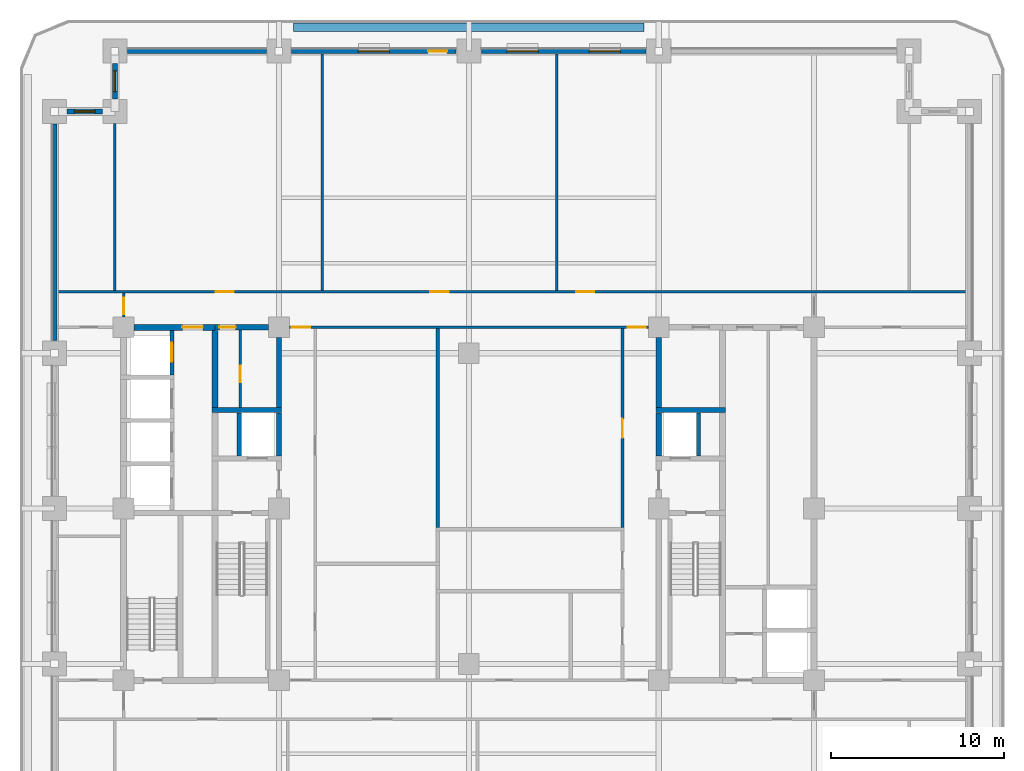
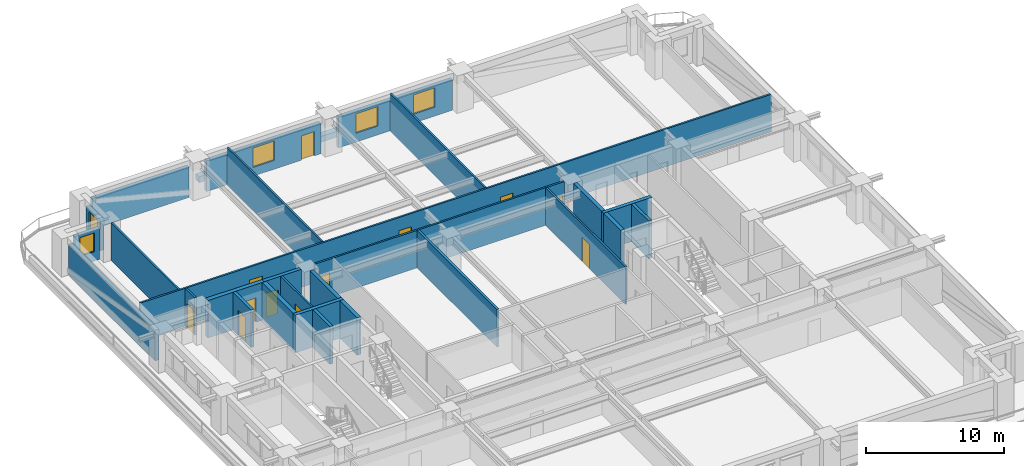
# One storey, part 5 of 13: 28 walls, 12 doors, 5 windows, 17 openings.
"""IFC4 building model written with IfcOpenShell, lengths in metres."""

import ifcopenshell
import ifcopenshell.guid

model = None  # the IFC model being written
_history = None  # IfcOwnerHistory: only IFC2X3 demands one
_inside = {}  # id of a spatial element -> (the spatial element, [elements in it])
_under = {}  # id of a project, library or spatial element -> (it, [spatial elements below it])
_declared = {}  # id of a project -> (the project, [libraries it declares])
_typed = {}  # id of a type object -> (the type object, [elements of that type])
_made_of = {}  # id of a material, layer set ... -> (it, [elements and type objects made of it])


def new_model(schema):
    """Start an empty IFC model of exactly this schema.

    Asked for "IFC4X3", IfcOpenShell would pick the latest addendum, in which some entities
    have other attributes; the version numbers below select the first issue.
    IFC2X3 requires an IfcOwnerHistory on every rooted entity: one is made here for all.
    """
    global model, _history
    if schema == "IFC4X3":
        model = ifcopenshell.file(schema_version=(4, 3, 0, 0))
    else:
        model = ifcopenshell.file(schema=schema)
    _inside.clear()
    _under.clear()
    _declared.clear()
    _typed.clear()
    _made_of.clear()
    _history = None
    if model.schema == "IFC2X3":
        org = make("IfcOrganization", Name="unknown")
        user = make(
            "IfcPersonAndOrganization",
            ThePerson=make("IfcPerson", FamilyName="unknown"),
            TheOrganization=org,
        )
        app = make(
            "IfcApplication",
            ApplicationDeveloper=org,
            Version="unknown",
            ApplicationFullName="unknown",
            ApplicationIdentifier="unknown",
        )
        _history = make(
            "IfcOwnerHistory",
            OwningUser=user,
            OwningApplication=app,
            ChangeAction="ADDED",
            CreationDate=0,
        )
    return model


def make(cls, **values):
    """One entity of the class cls with the attributes given. An attribute that is None is left unset."""
    return model.create_entity(
        cls, **{name: value for name, value in values.items() if value is not None}
    )


def rooted(cls, **values):
    """An entity with a GlobalId (a new one), such as an element, a storey or a relation."""
    return make(cls, GlobalId=ifcopenshell.guid.new(), OwnerHistory=_history, **values)


def si_unit(unit_type, name, prefix=None):
    """IfcSIUnit, for example si_unit("LENGTHUNIT", "METRE", prefix="MILLI")."""
    return make("IfcSIUnit", UnitType=unit_type, Prefix=prefix, Name=name)


def assignment(units):
    """IfcUnitAssignment: the units of a project."""
    return None if units is None else make("IfcUnitAssignment", Units=units)


def point(xyz):
    """IfcCartesianPoint."""
    return None if xyz is None else make("IfcCartesianPoint", Coordinates=xyz)


def direction(xyz):
    """IfcDirection."""
    return None if xyz is None else make("IfcDirection", DirectionRatios=xyz)


def frame(location, z_axis=None, x_axis=None):
    """IfcAxis2Placement3D, a coordinate frame: its origin and axes. An axis left out is left unset."""
    return make(
        "IfcAxis2Placement3D",
        Location=point(location),
        Axis=direction(z_axis),
        RefDirection=direction(x_axis),
    )


def frame_2d(location, x_axis=None):
    """IfcAxis2Placement2D, a coordinate frame in the plane: its origin and x axis."""
    return make(
        "IfcAxis2Placement2D", Location=point(location), RefDirection=direction(x_axis)
    )


def origin():
    """The frame at (0, 0, 0) with its axes left unset."""
    return frame((0.0, 0.0, 0.0))


def place(relative_to, where):
    """IfcLocalPlacement: puts the frame where relative to a parent placement (None: the world)."""
    return make(
        "IfcLocalPlacement", PlacementRelTo=relative_to, RelativePlacement=where
    )


def context(
    kind, dimensions, precision=None, world=None, true_north=None, identifier=None
):
    """IfcGeometricRepresentationContext, for example the 3D "Model" context."""
    return make(
        "IfcGeometricRepresentationContext",
        ContextIdentifier=identifier,
        ContextType=kind,
        CoordinateSpaceDimension=dimensions,
        Precision=precision,
        WorldCoordinateSystem=world,
        TrueNorth=true_north,
    )


def subcontext(parent, identifier, kind, view, scale=None):
    """IfcGeometricRepresentationSubContext, for example "Body" below "Model"."""
    return make(
        "IfcGeometricRepresentationSubContext",
        ContextIdentifier=identifier,
        ContextType=kind,
        ParentContext=parent,
        TargetScale=scale,
        TargetView=view,
    )


def project(units=None, contexts=None):
    """IfcProject with its units and contexts."""
    return rooted(
        "IfcProject",
        Name="project",
        RepresentationContexts=contexts,
        UnitsInContext=assignment(units),
    )


def spatial(cls, under=None, at=None, **own):
    """A site, building, storey or space (cls), placed at a placement, below another one or the project."""
    s = rooted(cls, ObjectPlacement=at, **own)
    if under is not None:
        _under.setdefault(under.id(), (under, []))[1].append(s)
    return s


def profile(cls, at=None, kind="AREA", **sizes):
    """A parametric profile (cls). Its sizes go by their IFC names, for example OverallWidth=200.0."""
    return make(cls, ProfileType=kind, Position=at, **sizes)


def rectangle(**sizes):
    """IfcRectangleProfileDef."""
    return profile("IfcRectangleProfileDef", **sizes)


def extrude(swept, where, along, depth):
    """IfcExtrudedAreaSolid: the profile swept, set in the frame where, extruded along a direction by depth."""
    return make(
        "IfcExtrudedAreaSolid",
        SweptArea=swept,
        Position=where,
        ExtrudedDirection=direction(along),
        Depth=depth,
    )


def shape(context_of_items, identifier, shape_type, items):
    """IfcShapeRepresentation: the items that make up one representation, for example the "Body"."""
    return make(
        "IfcShapeRepresentation",
        ContextOfItems=context_of_items,
        RepresentationIdentifier=identifier,
        RepresentationType=shape_type,
        Items=items,
    )


def material(Name=None, Category=None):
    """IfcMaterial."""
    return make("IfcMaterial", Name=Name, Category=Category)


def layer(
    of_material, thickness, ventilated=None, Name=None, Category=None, Priority=None
):
    """IfcMaterialLayer: one layer of a wall or slab, of a material (None: an air gap)."""
    return make(
        "IfcMaterialLayer",
        Material=of_material,
        LayerThickness=thickness,
        IsVentilated=ventilated,
        Name=Name,
        Category=Category,
        Priority=Priority,
    )


def layer_set(layers, Name=None):
    """IfcMaterialLayerSet."""
    return make("IfcMaterialLayerSet", MaterialLayers=layers, LayerSetName=Name)


def made_of(thing, what):
    """Note that an element or type object is made of a material, layer set ...; save() writes the relation."""
    if what is not None:
        _made_of.setdefault(what.id(), (what, []))[1].append(thing)
    return thing


def type_object(cls, material=None, **own):
    """A type object (cls), such as IfcWallType, which elements share."""
    return made_of(rooted(cls, **own), material)


def element(
    cls,
    number,
    at=None,
    inside=None,
    cuts=None,
    type_object=None,
    material=None,
    context=None,
    identifier="Body",
    shape_type=None,
    held_by="IfcProductDefinitionShape",
    body=None,
    shapes=None,
    **own,
):
    """One element of the class cls, such as IfcWall. Its Tag is "e" and its number.

    at: its placement. inside: the storey or other place that contains it. cuts: it is an
    opening in that element (IfcRelVoidsElement). A single representation is given by context,
    identifier, shape_type and body (its items); several are given by shapes. held_by: the class
    of the entity that holds the representations. save() writes the other relations.
    """
    e = rooted(cls, Tag="e%d" % number, ObjectPlacement=at, **own)
    if body is not None:
        shapes = [shape(context, identifier, shape_type, body)]
    if shapes is not None:
        e.Representation = make(held_by, Representations=shapes)
    if inside is not None:
        _inside.setdefault(inside.id(), (inside, []))[1].append(e)
    if cuts is not None:
        rooted(
            "IfcRelVoidsElement", RelatingBuildingElement=cuts, RelatedOpeningElement=e
        )
    if type_object is not None:
        _typed.setdefault(type_object.id(), (type_object, []))[1].append(e)
    return made_of(e, material)


def fill(opening, filler):
    """IfcRelFillsElement: the door or window that sits in an opening."""
    return rooted(
        "IfcRelFillsElement",
        RelatingOpeningElement=opening,
        RelatedBuildingElement=filler,
    )


def aggregate(whole, parts):
    """IfcRelAggregates: a whole, such as a stair, and the parts it consists of."""
    return rooted("IfcRelAggregates", RelatingObject=whole, RelatedObjects=parts)


def save(model, path):
    """Write the relations noted so far, then the file.

    IfcRelAggregates (storeys below a building ...), IfcRelContainedInSpatialStructure (elements
    in a storey), IfcRelDefinesByType, IfcRelAssociatesMaterial and IfcRelDeclares: one each for
    every whole, place, type object, material and project.
    """
    for whole, parts in _under.values():
        aggregate(whole, parts)
    for where, things in _inside.values():
        rooted(
            "IfcRelContainedInSpatialStructure",
            RelatedElements=things,
            RelatingStructure=where,
        )
    for kind, things in _typed.values():
        rooted("IfcRelDefinesByType", RelatedObjects=things, RelatingType=kind)
    for what, things in _made_of.values():
        rooted("IfcRelAssociatesMaterial", RelatedObjects=things, RelatingMaterial=what)
    for by, libraries in _declared.values():
        rooted("IfcRelDeclares", RelatingContext=by, RelatedDefinitions=libraries)
    model.write(path)


model = new_model("IFC4")

# Units and contexts
model_context = context("Model", 3, precision=1e-05, world=origin(), true_north=direction((0.0, 1.0)))
body_context = subcontext(model_context, "Body", "Model", "MODEL_VIEW")
ifc_project = project(units=[si_unit("LENGTHUNIT", "METRE"), si_unit("AREAUNIT", "SQUARE_METRE"), si_unit("VOLUMEUNIT", "CUBIC_METRE"), si_unit("PLANEANGLEUNIT", "RADIAN"), si_unit("MASSUNIT", "GRAM", prefix="KILO")], contexts=[model_context])

# Site, building, storey
site_placement = place(None, origin())
site = spatial("IfcSite", under=ifc_project, at=site_placement, CompositionType="ELEMENT")
building_placement = place(site_placement, origin())
building = spatial("IfcBuilding", under=site, at=building_placement, Name="Zulmaris Gate Convention Tower", CompositionType="ELEMENT")
storey_placement = place(building_placement, frame((0.0, 0.0, 34.340087890625)))
storey = spatial("IfcBuildingStorey", under=building, at=storey_placement, Name="L07", CompositionType="ELEMENT", Elevation=34.340087890625)

# Wall, opening, door
ifc_material_1 = material(Name="Concrete C50/60", Category="concrete")
ifc_layer_1 = layer(ifc_material_1, 0.25, Name="Concrete C50/60")
ifc_layer_set_1 = layer_set([ifc_layer_1], Name="Concrete C50/60")
wall_type_1 = type_object("IfcWallType", Name="CORE-250", PredefinedType="SOLIDWALL", material=ifc_layer_set_1)
wall_1_placement = place(storey_placement, frame((-17.199951171875, 7.72705078125, 0.0), z_axis=(0.0, 0.0, 1.0), x_axis=(0.0, 1.0, 0.0)))
wall_1 = element("IfcWall", 1, at=wall_1_placement, inside=storey, type_object=wall_type_1, Name="WL-L07-042", PredefinedType="SOLIDWALL", context=body_context, shape_type="SweptSolid", body=[
    extrude(rectangle(XDim=2.595947265625, YDim=0.25, at=frame_2d((1.2978515625, 0.0))), origin(), (0.0, 0.0, 1.0), 3.31982421875),
])
opening_1_placement = place(wall_1_placement, frame((0.77294921875, 0.0, 0.0)))
opening_1 = element("IfcOpeningElement", 2, at=opening_1_placement, cuts=wall_1, Name="Opening D-06", PredefinedType="OPENING", context=body_context, shape_type="SweptSolid", body=[
    extrude(rectangle(XDim=1.10009765625, YDim=2.199951171875, at=frame_2d((0.550048828125, 1.10009765625))), frame((0.0, 0.135009765625, 0.0), z_axis=(0.0, -1.0, 0.0), x_axis=(1.0, 0.0, 0.0)), (0.0, 0.0, 1.0), 0.27001953125),
])
ifc_material_2 = material(Name="Brushed Stainless Steel", Category="steel")
door_type_1 = type_object("IfcDoorType", Name="LD-1100", OperationType="NOTDEFINED", PredefinedType="DOOR", material=ifc_material_2)
door_1_placement = place(opening_1_placement, origin())
door_1 = element("IfcDoor", 3, at=door_1_placement, inside=storey, type_object=door_type_1, Name="L07 Lift Landing Door LP-04 15", OperationType="SLIDING_TO_LEFT", OverallHeight=2.199951171875, OverallWidth=1.10009765625, PredefinedType="DOOR", context=body_context, shape_type="SweptSolid", body=[
    extrude(rectangle(XDim=1.10009765625, YDim=2.199951171875, at=frame_2d((0.550048828125, 1.10009765625))), frame((0.0, 0.02490234375, 0.0), z_axis=(0.0, -1.0, 0.0), x_axis=(1.0, 0.0, 0.0)), (0.0, 0.0, 1.0), 0.050048828125),
])
fill(opening_1, door_1)

# Walls
for number, where, z_axis, x_axis, name in (
    (4, (-13.300048828125, 3.052001953125, 0.0), (0.0, 0.0, 1.0), (0.0, 1.0, 0.0), "WL-L07-048"),
    (5, (13.300048828125, 3.052001953125, 0.0), (0.0, 0.0, 1.0), (0.0, 1.0, 0.0), "WL-L07-059"),
):
    element("IfcWall", number, at=place(storey_placement, frame(where, z_axis=z_axis, x_axis=x_axis)), inside=storey, type_object=wall_type_1, Name=name, PredefinedType="SOLIDWALL", context=body_context, shape_type="SweptSolid", body=[
        extrude(rectangle(XDim=2.49609375, YDim=0.25, at=frame_2d((1.248046875, 0.0))), origin(), (0.0, 0.0, 1.0), 3.31982421875),
    ])
ifc_layer_2 = layer(ifc_material_1, 0.300048828125, Name="Concrete C50/60")
ifc_layer_set_2 = layer_set([ifc_layer_2], Name="Concrete C50/60")
wall_type_2 = type_object("IfcWallType", Name="CORE-300", PredefinedType="SHEAR", material=ifc_layer_set_2)
for number, where, z_axis, x_axis, name in (
    (6, (-14.875, 5.699951171875, 0.0), (0.0, 0.0, 1.0), (1.0, 0.0, 0.0), "WL-L07-013"),
    (7, (10.85009765625, 5.699951171875, 0.0), (0.0, 0.0, 1.0), (1.0, 0.0, 0.0), "WL-L07-014"),
):
    element("IfcWall", number, at=place(storey_placement, frame(where, z_axis=z_axis, x_axis=x_axis)), inside=storey, type_object=wall_type_2, Name=name, PredefinedType="SHEAR", context=body_context, shape_type="SweptSolid", body=[
        extrude(rectangle(XDim=4.02490234375, YDim=0.300048828125, at=frame_2d((2.012451171875, 0.0))), origin(), (0.0, 0.0, 1.0), 3.31982421875),
    ])

# Wall, opening, door
wall_2_placement = place(storey_placement, frame((-14.699951171875, 10.5, 0.0), z_axis=(0.0, 0.0, 1.0), x_axis=(1.0, 0.0, 0.0)))
wall_2 = element("IfcWall", 8, at=wall_2_placement, inside=storey, type_object=wall_type_2, Name="WL-L07-017", PredefinedType="SHEAR", context=body_context, shape_type="SweptSolid", body=[
    extrude(rectangle(XDim=3.095947265625, YDim=0.300048828125, at=frame_2d((1.5478515625, 0.0))), origin(), (0.0, 0.0, 1.0), 3.31982421875),
])
opening_2_placement = place(wall_2_placement, frame((0.2451171875, 0.0, 0.0)))
opening_2 = element("IfcOpeningElement", 9, at=opening_2_placement, cuts=wall_2, Name="Opening D-11", PredefinedType="OPENING", context=body_context, shape_type="SweptSolid", body=[
    extrude(rectangle(XDim=0.949951171875, YDim=2.14990234375, at=frame_2d((0.47509765625, 1.074951171875))), frame((0.0, 0.16015625, 0.0), z_axis=(0.0, -1.0, 0.0), x_axis=(1.0, 0.0, 0.0)), (0.0, 0.0, 1.0), 0.320068359375),
])
ifc_material_3 = material(Name="Fire-Rated Timber", Category="wood")
door_type_2 = type_object("IfcDoorType", Name="DR-950-FD", OperationType="NOTDEFINED", PredefinedType="DOOR", material=ifc_material_3)
door_2_placement = place(opening_2_placement, origin())
door_2 = element("IfcDoor", 10, at=door_2_placement, inside=storey, type_object=door_type_2, Name="L07 Core Mail Room Door 07", OperationType="SINGLE_SWING_RIGHT", OverallHeight=2.14990234375, OverallWidth=0.949951171875, PredefinedType="DOOR", context=body_context, shape_type="SweptSolid", body=[
    extrude(rectangle(XDim=0.949951171875, YDim=2.14990234375, at=frame_2d((0.47509765625, 1.074951171875))), frame((0.0, 0.02490234375, 0.0), z_axis=(0.0, -1.0, 0.0), x_axis=(1.0, 0.0, 0.0)), (0.0, 0.0, 1.0), 0.050048828125),
])
fill(opening_2, door_2)

# Walls
wall_3_placement = place(storey_placement, frame((-11.0, 3.052001953125, 0.0), z_axis=(0.0, 0.0, 1.0), x_axis=(0.0, 1.0, 0.0)))
element("IfcWall", 11, at=wall_3_placement, inside=storey, type_object=wall_type_2, Name="WL-L07-052", PredefinedType="SHEAR", context=body_context, shape_type="SweptSolid", body=[
    extrude(rectangle(XDim=2.49609375, YDim=0.300048828125, at=frame_2d((1.248046875, 0.0))), origin(), (0.0, 0.0, 1.0), 3.31982421875),
])
wall_4_placement = place(storey_placement, frame((-11.0, 5.85205078125, 0.0), z_axis=(0.0, 0.0, 1.0), x_axis=(0.0, 1.0, 0.0)))
element("IfcWall", 12, at=wall_4_placement, inside=storey, type_object=wall_type_2, Name="WL-L07-053", PredefinedType="SHEAR", context=body_context, shape_type="SweptSolid", body=[
    extrude(rectangle(XDim=4.0439453125, YDim=0.300048828125, at=frame_2d((2.02197265625, 0.0))), origin(), (0.0, 0.0, 1.0), 3.31982421875),
])
wall_5_placement = place(storey_placement, frame((11.0, 3.052001953125, 0.0), z_axis=(0.0, 0.0, 1.0), x_axis=(0.0, 1.0, 0.0)))
element("IfcWall", 13, at=wall_5_placement, inside=storey, type_object=wall_type_2, Name="WL-L07-056", PredefinedType="SHEAR", context=body_context, shape_type="SweptSolid", body=[
    extrude(rectangle(XDim=2.49609375, YDim=0.300048828125, at=frame_2d((1.248046875, 0.0))), origin(), (0.0, 0.0, 1.0), 3.31982421875),
])
wall_6_placement = place(storey_placement, frame((11.0, 5.85205078125, 0.0), z_axis=(0.0, 0.0, 1.0), x_axis=(0.0, 1.0, 0.0)))
element("IfcWall", 14, at=wall_6_placement, inside=storey, type_object=wall_type_2, Name="WL-L07-057", PredefinedType="SHEAR", context=body_context, shape_type="SweptSolid", body=[
    extrude(rectangle(XDim=4.0439453125, YDim=0.300048828125, at=frame_2d((2.02197265625, 0.0))), origin(), (0.0, 0.0, 1.0), 3.31982421875),
])

# Wall, opening, door
ifc_material_4 = material(Name="Concrete C55/67", Category="concrete")
ifc_layer_3 = layer(ifc_material_4, 0.35009765625, Name="Concrete C55/67")
ifc_layer_set_3 = layer_set([ifc_layer_3], Name="Concrete C55/67")
wall_type_3 = type_object("IfcWallType", Name="CORE-350", PredefinedType="SHEAR", material=ifc_layer_set_3)
wall_7_placement = place(storey_placement, frame((-19.39599609375, 10.5, 0.0), z_axis=(0.0, 0.0, 1.0), x_axis=(1.0, 0.0, 0.0)))
wall_7 = element("IfcWall", 15, at=wall_7_placement, inside=storey, type_object=wall_type_3, Name="WL-L07-016", PredefinedType="SHEAR", context=body_context, shape_type="SweptSolid", body=[
    extrude(rectangle(XDim=4.696044921875, YDim=0.35009765625, at=frame_2d((2.34814453125, 0.0))), origin(), (0.0, 0.0, 1.0), 3.31982421875),
])
opening_3_placement = place(wall_7_placement, frame((2.7958984375, 0.0, 0.0)))
opening_3 = element("IfcOpeningElement", 16, at=opening_3_placement, cuts=wall_7, Name="Opening D-13", PredefinedType="OPENING", context=body_context, shape_type="SweptSolid", body=[
    extrude(rectangle(XDim=1.199951171875, YDim=2.14990234375, at=frame_2d((0.60009765625, 1.074951171875))), frame((0.0, 0.18505859375, 0.0), z_axis=(0.0, -1.0, 0.0), x_axis=(1.0, 0.0, 0.0)), (0.0, 0.0, 1.0), 0.3701171875),
])
ifc_material_5 = material(Name="Fire-Rated Steel", Category="steel")
door_type_3 = type_object("IfcDoorType", Name="DR-1200-FD", OperationType="NOTDEFINED", PredefinedType="DOOR", material=ifc_material_5)
door_3_placement = place(opening_3_placement, origin())
door_3 = element("IfcDoor", 17, at=door_3_placement, inside=storey, type_object=door_type_3, Name="L07 Low-Rise Lift Lobby Door 11", OperationType="SINGLE_SWING_RIGHT", OverallHeight=2.14990234375, OverallWidth=1.199951171875, PredefinedType="DOOR", context=body_context, shape_type="SweptSolid", body=[
    extrude(rectangle(XDim=1.199951171875, YDim=2.14990234375, at=frame_2d((0.60009765625, 1.074951171875))), frame((0.0, 0.02490234375, 0.0), z_axis=(0.0, -1.0, 0.0), x_axis=(1.0, 0.0, 0.0)), (0.0, 0.0, 1.0), 0.050048828125),
])
fill(opening_3, door_3)

# Wall
wall_8_placement = place(storey_placement, frame((-14.699951171875, 5.85205078125, 0.0), z_axis=(0.0, 0.0, 1.0), x_axis=(0.0, 1.0, 0.0)))
element("IfcWall", 18, at=wall_8_placement, inside=storey, type_object=wall_type_3, Name="WL-L07-047", PredefinedType="SHEAR", context=body_context, shape_type="SweptSolid", body=[
    extrude(rectangle(XDim=4.470947265625, YDim=0.35009765625, at=frame_2d((2.2353515625, 0.0))), origin(), (0.0, 0.0, 1.0), 3.31982421875),
])

# Wall, openings, doors
ifc_material_6 = material(Name="Gypsum Metal Stud Partition")
ifc_layer_4 = layer(ifc_material_6, 0.14990234375, Name="Gypsum Metal Stud Partition")
ifc_layer_set_4 = layer_set([ifc_layer_4], Name="Gypsum Metal Stud Partition")
wall_type_4 = type_object("IfcWallType", Name="PART-150", PredefinedType="PARTITIONING", material=ifc_layer_set_4)
wall_9_placement = place(storey_placement, frame((-10.39404296875, 10.5, 0.0), z_axis=(0.0, 0.0, 1.0), x_axis=(1.0, 0.0, 0.0)))
wall_9 = element("IfcWall", 19, at=wall_9_placement, inside=storey, type_object=wall_type_4, Name="WL-L07-031", PredefinedType="PARTITIONING", context=body_context, shape_type="SweptSolid", body=[
    extrude(rectangle(XDim=20.7880859375, YDim=0.14990234375, at=frame_2d((10.39404296875, 0.0))), origin(), (0.0, 0.0, 1.0), 3.31982421875),
])
opening_4_placement = place(wall_9_placement, frame((0.14990234375, 0.0, 0.0)))
opening_4 = element("IfcOpeningElement", 20, at=opening_4_placement, cuts=wall_9, Name="Opening D-09", PredefinedType="OPENING", context=body_context, shape_type="SweptSolid", body=[
    extrude(rectangle(XDim=1.050048828125, YDim=2.14990234375, at=frame_2d((0.52490234375, 1.074951171875))), frame((0.0, 0.0849609375, 0.0), z_axis=(0.0, -1.0, 0.0), x_axis=(1.0, 0.0, 0.0)), (0.0, 0.0, 1.0), 0.169921875),
])
opening_5_placement = place(wall_9_placement, frame((19.587890625, 0.0, 0.0)))
opening_5 = element("IfcOpeningElement", 21, at=opening_5_placement, cuts=wall_9, Name="Opening D-09", PredefinedType="OPENING", context=body_context, shape_type="SweptSolid", body=[
    extrude(rectangle(XDim=1.050048828125, YDim=2.14990234375, at=frame_2d((0.52490234375, 1.074951171875))), frame((0.0, 0.0849609375, 0.0), z_axis=(0.0, -1.0, 0.0), x_axis=(1.0, 0.0, 0.0)), (0.0, 0.0, 1.0), 0.169921875),
])
door_type_4 = type_object("IfcDoorType", Name="DR-1050-FD", OperationType="NOTDEFINED", PredefinedType="DOOR", material=ifc_material_5)
door_4_placement = place(opening_4_placement, origin())
door_4 = element("IfcDoor", 22, at=door_4_placement, inside=storey, type_object=door_type_4, Name="L07 NW Spine Link Door 20", OperationType="SINGLE_SWING_LEFT", OverallHeight=2.14990234375, OverallWidth=1.050048828125, PredefinedType="DOOR", context=body_context, shape_type="SweptSolid", body=[
    extrude(rectangle(XDim=1.050048828125, YDim=2.14990234375, at=frame_2d((0.52490234375, 1.074951171875))), frame((0.0, 0.02490234375, 0.0), z_axis=(0.0, -1.0, 0.0), x_axis=(1.0, 0.0, 0.0)), (0.0, 0.0, 1.0), 0.050048828125),
])
fill(opening_4, door_4)
door_5_placement = place(opening_5_placement, origin())
door_5 = element("IfcDoor", 23, at=door_5_placement, inside=storey, type_object=door_type_4, Name="L07 NE Spine Link Door 22", OperationType="SINGLE_SWING_LEFT", OverallHeight=2.14990234375, OverallWidth=1.050048828125, PredefinedType="DOOR", context=body_context, shape_type="SweptSolid", body=[
    extrude(rectangle(XDim=1.050048828125, YDim=2.14990234375, at=frame_2d((0.52490234375, 1.074951171875))), frame((0.0, 0.02490234375, 0.0), z_axis=(0.0, -1.0, 0.0), x_axis=(1.0, 0.0, 0.0)), (0.0, 0.0, 1.0), 0.050048828125),
])
fill(opening_5, door_5)

wall_10_placement = place(storey_placement, frame((-23.8349609375, 12.550048828125, 0.0), z_axis=(0.0, 0.0, 1.0), x_axis=(1.0, 0.0, 0.0)))
wall_10 = element("IfcWall", 24, at=wall_10_placement, inside=storey, type_object=wall_type_4, Name="WL-L07-033", PredefinedType="PARTITIONING", context=body_context, shape_type="SweptSolid", body=[
    extrude(rectangle(XDim=52.669921875, YDim=0.14990234375, at=frame_2d((26.3349609375, 0.0))), origin(), (0.0, 0.0, 1.0), 3.31982421875),
])
opening_6_placement = place(wall_10_placement, frame((9.159912109375, 0.0, 0.0)))
opening_6 = element("IfcOpeningElement", 25, at=opening_6_placement, cuts=wall_10, Name="Opening D-09", PredefinedType="OPENING", context=body_context, shape_type="SweptSolid", body=[
    extrude(rectangle(XDim=1.050048828125, YDim=2.14990234375, at=frame_2d((0.52490234375, 1.074951171875))), frame((0.0, 0.0849609375, 0.0), z_axis=(0.0, -1.0, 0.0), x_axis=(1.0, 0.0, 0.0)), (0.0, 0.0, 1.0), 0.169921875),
])
opening_7_placement = place(wall_10_placement, frame((21.610107421875, 0.0, 0.0)))
opening_7 = element("IfcOpeningElement", 26, at=opening_7_placement, cuts=wall_10, Name="Opening D-09", PredefinedType="OPENING", context=body_context, shape_type="SweptSolid", body=[
    extrude(rectangle(XDim=1.050048828125, YDim=2.14990234375, at=frame_2d((0.52490234375, 1.074951171875))), frame((0.0, 0.0849609375, 0.0), z_axis=(0.0, -1.0, 0.0), x_axis=(1.0, 0.0, 0.0)), (0.0, 0.0, 1.0), 0.169921875),
])
opening_8_placement = place(wall_10_placement, frame((30.06005859375, 0.0, 0.0)))
opening_8 = element("IfcOpeningElement", 27, at=opening_8_placement, cuts=wall_10, Name="Opening D-09", PredefinedType="OPENING", context=body_context, shape_type="SweptSolid", body=[
    extrude(rectangle(XDim=1.050048828125, YDim=2.14990234375, at=frame_2d((0.52490234375, 1.074951171875))), frame((0.0, 0.0849609375, 0.0), z_axis=(0.0, -1.0, 0.0), x_axis=(1.0, 0.0, 0.0)), (0.0, 0.0, 1.0), 0.169921875),
])
door_6_placement = place(opening_6_placement, origin())
door_6 = element("IfcDoor", 28, at=door_6_placement, inside=storey, type_object=door_type_4, Name="L07 Partner Corner Office Door 24", OperationType="SINGLE_SWING_LEFT", OverallHeight=2.14990234375, OverallWidth=1.050048828125, PredefinedType="DOOR", context=body_context, shape_type="SweptSolid", body=[
    extrude(rectangle(XDim=1.050048828125, YDim=2.14990234375, at=frame_2d((0.52490234375, 1.074951171875))), frame((0.0, 0.02490234375, 0.0), z_axis=(0.0, -1.0, 0.0), x_axis=(1.0, 0.0, 0.0)), (0.0, 0.0, 1.0), 0.050048828125),
])
fill(opening_6, door_6)
door_7_placement = place(opening_7_placement, origin())
door_7 = element("IfcDoor", 29, at=door_7_placement, inside=storey, type_object=door_type_4, Name="L07 Advisory Suite Office Door 25", OperationType="SINGLE_SWING_RIGHT", OverallHeight=2.14990234375, OverallWidth=1.050048828125, PredefinedType="DOOR", context=body_context, shape_type="SweptSolid", body=[
    extrude(rectangle(XDim=1.050048828125, YDim=2.14990234375, at=frame_2d((0.52490234375, 1.074951171875))), frame((0.0, 0.02490234375, 0.0), z_axis=(0.0, -1.0, 0.0), x_axis=(1.0, 0.0, 0.0)), (0.0, 0.0, 1.0), 0.050048828125),
])
fill(opening_7, door_7)
door_8_placement = place(opening_8_placement, origin())
door_8 = element("IfcDoor", 30, at=door_8_placement, inside=storey, type_object=door_type_4, Name="L07 Open Plan Workplace Door 26", OperationType="SINGLE_SWING_LEFT", OverallHeight=2.14990234375, OverallWidth=1.050048828125, PredefinedType="DOOR", context=body_context, shape_type="SweptSolid", body=[
    extrude(rectangle(XDim=1.050048828125, YDim=2.14990234375, at=frame_2d((0.52490234375, 1.074951171875))), frame((0.0, 0.02490234375, 0.0), z_axis=(0.0, -1.0, 0.0), x_axis=(1.0, 0.0, 0.0)), (0.0, 0.0, 1.0), 0.050048828125),
])
fill(opening_8, door_8)

# Wall
wall_11_placement = place(storey_placement, frame((-20.5, 12.6279296875, 0.0), z_axis=(0.0, 0.0, 1.0), x_axis=(0.0, 1.0, 0.0)))
element("IfcWall", 31, at=wall_11_placement, inside=storey, type_object=wall_type_4, Name="WL-L07-070", PredefinedType="PARTITIONING", context=body_context, shape_type="SweptSolid", body=[
    extrude(rectangle(XDim=9.666015625, YDim=0.14990234375, at=frame_2d((4.8330078125, 0.0))), origin(), (0.0, 0.0, 1.0), 3.31982421875),
])

# Wall, opening, door
wall_12_placement = place(storey_placement, frame((-20.0, 11.10595703125, 0.0), z_axis=(0.0, 0.0, 1.0), x_axis=(0.0, 1.0, 0.0)))
wall_12 = element("IfcWall", 32, at=wall_12_placement, inside=storey, type_object=wall_type_4, Name="WL-L07-072", PredefinedType="PARTITIONING", context=body_context, shape_type="SweptSolid", body=[
    extrude(rectangle(XDim=1.365966796875, YDim=0.14990234375, at=frame_2d((0.68310546875, 0.0))), origin(), (0.0, 0.0, 1.0), 3.31982421875),
])
opening_9_placement = place(wall_12_placement, frame((0.14990234375, 0.0, 0.0)))
opening_9 = element("IfcOpeningElement", 33, at=opening_9_placement, cuts=wall_12, Name="Opening D-11", PredefinedType="OPENING", context=body_context, shape_type="SweptSolid", body=[
    extrude(rectangle(XDim=0.949951171875, YDim=2.14990234375, at=frame_2d((0.47509765625, 1.074951171875))), frame((0.0, 0.0849609375, 0.0), z_axis=(0.0, -1.0, 0.0), x_axis=(1.0, 0.0, 0.0)), (0.0, 0.0, 1.0), 0.169921875),
])
door_9_placement = place(opening_9_placement, origin())
door_9 = element("IfcDoor", 34, at=door_9_placement, inside=storey, type_object=door_type_2, Name="L07 NW Spur Door 36", OperationType="SINGLE_SWING_LEFT", OverallHeight=2.14990234375, OverallWidth=0.949951171875, PredefinedType="DOOR", context=body_context, shape_type="SweptSolid", body=[
    extrude(rectangle(XDim=0.949951171875, YDim=2.14990234375, at=frame_2d((0.47509765625, 1.074951171875))), frame((0.0, 0.02490234375, 0.0), z_axis=(0.0, -1.0, 0.0), x_axis=(1.0, 0.0, 0.0)), (0.0, 0.0, 1.0), 0.050048828125),
])
fill(opening_9, door_9)

wall_13_placement = place(storey_placement, frame((-13.25, 5.85302734375, 0.0), z_axis=(0.0, 0.0, 1.0), x_axis=(0.0, 1.0, 0.0)))
wall_13 = element("IfcWall", 35, at=wall_13_placement, inside=storey, type_object=wall_type_4, Name="WL-L07-073", PredefinedType="PARTITIONING", context=body_context, shape_type="SweptSolid", body=[
    extrude(rectangle(XDim=4.493896484375, YDim=0.14990234375, at=frame_2d((2.2470703125, 0.0))), origin(), (0.0, 0.0, 1.0), 3.31982421875),
])
opening_10_placement = place(wall_13_placement, frame((1.471923828125, 0.0, 0.0)))
opening_10 = element("IfcOpeningElement", 36, at=opening_10_placement, cuts=wall_13, Name="Opening D-11", PredefinedType="OPENING", context=body_context, shape_type="SweptSolid", body=[
    extrude(rectangle(XDim=0.949951171875, YDim=2.14990234375, at=frame_2d((0.47509765625, 1.074951171875))), frame((0.0, 0.0849609375, 0.0), z_axis=(0.0, -1.0, 0.0), x_axis=(1.0, 0.0, 0.0)), (0.0, 0.0, 1.0), 0.169921875),
])
door_10_placement = place(opening_10_placement, origin())
door_10 = element("IfcDoor", 37, at=door_10_placement, inside=storey, type_object=door_type_2, Name="L07 Core Janitor Door 08", OperationType="SINGLE_SWING_LEFT", OverallHeight=2.14990234375, OverallWidth=0.949951171875, PredefinedType="DOOR", context=body_context, shape_type="SweptSolid", body=[
    extrude(rectangle(XDim=0.949951171875, YDim=2.14990234375, at=frame_2d((0.47509765625, 1.074951171875))), frame((0.0, 0.02490234375, 0.0), z_axis=(0.0, -1.0, 0.0), x_axis=(1.0, 0.0, 0.0)), (0.0, 0.0, 1.0), 0.050048828125),
])
fill(opening_10, door_10)

# Walls
for number, where, z_axis, x_axis, name in (
    (38, (-8.5, 12.6279296875, 0.0), (0.0, 0.0, 1.0), (0.0, 1.0, 0.0), "WL-L07-077"),
    (39, (5.10009765625, 12.6279296875, 0.0), (0.0, 0.0, 1.0), (0.0, 1.0, 0.0), "WL-L07-083"),
):
    element("IfcWall", number, at=place(storey_placement, frame(where, z_axis=z_axis, x_axis=x_axis)), inside=storey, type_object=wall_type_4, Name=name, PredefinedType="PARTITIONING", context=body_context, shape_type="SweptSolid", body=[
        extrude(rectangle(XDim=13.70703125, YDim=0.14990234375, at=frame_2d((6.853515625, 0.0))), origin(), (0.0, 0.0, 1.0), 3.31982421875),
    ])

# Wall, opening, door
wall_14_placement = place(storey_placement, frame((8.89990234375, -1.096923828125, 0.0), z_axis=(0.0, 0.0, 1.0), x_axis=(0.0, 1.0, 0.0)))
wall_14 = element("IfcWall", 40, at=wall_14_placement, inside=storey, type_object=wall_type_4, Name="WL-L07-087", PredefinedType="PARTITIONING", context=body_context, shape_type="SweptSolid", body=[
    extrude(rectangle(XDim=11.51904296875, YDim=0.14990234375, at=frame_2d((5.759521484375, 0.0))), origin(), (0.0, 0.0, 1.0), 3.31982421875),
])
opening_11_placement = place(wall_14_placement, frame((5.197021484375, 0.0, 0.0)))
opening_11 = element("IfcOpeningElement", 41, at=opening_11_placement, cuts=wall_14, Name="Opening D-08", PredefinedType="OPENING", context=body_context, shape_type="SweptSolid", body=[
    extrude(rectangle(XDim=1.10009765625, YDim=2.14990234375, at=frame_2d((0.550048828125, 1.074951171875))), frame((0.0, 0.0849609375, 0.0), z_axis=(0.0, -1.0, 0.0), x_axis=(1.0, 0.0, 0.0)), (0.0, 0.0, 1.0), 0.169921875),
])
door_type_5 = type_object("IfcDoorType", Name="DR-1100-FD", OperationType="NOTDEFINED", PredefinedType="DOOR", material=ifc_material_5)
door_11_placement = place(opening_11_placement, origin())
door_11 = element("IfcDoor", 42, at=door_11_placement, inside=storey, type_object=door_type_5, Name="L07 Seminar Forum Door 32", OperationType="SINGLE_SWING_LEFT", OverallHeight=2.14990234375, OverallWidth=1.10009765625, PredefinedType="DOOR", context=body_context, shape_type="SweptSolid", body=[
    extrude(rectangle(XDim=1.10009765625, YDim=2.14990234375, at=frame_2d((0.550048828125, 1.074951171875))), frame((0.0, 0.02490234375, 0.0), z_axis=(0.0, -1.0, 0.0), x_axis=(1.0, 0.0, 0.0)), (0.0, 0.0, 1.0), 0.050048828125),
])
fill(opening_11, door_11)

# Walls
ifc_material_7 = material(Name="Autoclaved Aerated Concrete Block and Plasterboard", Category="concrete")
ifc_layer_5 = layer(ifc_material_7, 0.199951171875, Name="Autoclaved Aerated Concrete Block and Plasterboard")
ifc_layer_set_5 = layer_set([ifc_layer_5], Name="Autoclaved Aerated Concrete Block and Plasterboard")
wall_type_5 = type_object("IfcWallType", Name="PART-200", PredefinedType="PARTITIONING", material=ifc_layer_set_5)
wall_15_placement = place(storey_placement, frame((-1.800048828125, -1.096923828125, 0.0), z_axis=(0.0, 0.0, 1.0), x_axis=(0.0, 1.0, 0.0)))
element("IfcWall", 43, at=wall_15_placement, inside=storey, type_object=wall_type_5, Name="WL-L07-081", PredefinedType="PARTITIONING", context=body_context, shape_type="SweptSolid", body=[
    extrude(rectangle(XDim=11.51904296875, YDim=0.199951171875, at=frame_2d((5.759521484375, 0.0))), origin(), (0.0, 0.0, 1.0), 3.31982421875),
])
ifc_material_8 = material(Name="Botanical Green Glazed Precast Concrete C40/50", Category="concrete")
ifc_layer_6 = layer(ifc_material_8, 0.419921875, Name="Botanical Green Glazed Precast Concrete C40/50")
ifc_layer_set_6 = layer_set([ifc_layer_6], Name="Botanical Green Glazed Precast Concrete C40/50")
wall_type_6 = type_object("IfcWallType", Name="PLANTER-CURB-200", PredefinedType="PARAPET", material=ifc_layer_set_6)
wall_16_placement = place(storey_placement, frame((-10.14990234375, 27.8798828125, -0.0400390625), z_axis=(0.0, 0.0, 1.0), x_axis=(1.0, 0.0, 0.0)))
element("IfcWall", 44, at=wall_16_placement, inside=storey, type_object=wall_type_6, Name="L07 Full-Length Balcony Tree Planter Trough", PredefinedType="PARAPET", context=body_context, shape_type="SweptSolid", body=[
    extrude(rectangle(XDim=20.2998046875, YDim=0.47998046875, at=frame_2d((10.14990234375, 0.0))), origin(), (0.0, 0.0, 1.0), 0.52001953125),
])

# Wall, opening, window
ifc_material_9 = material(Name="Precast concrete C40/50", Category="concrete")
ifc_layer_7 = layer(ifc_material_9, 0.300048828125, Name="Precast concrete C40/50")
ifc_layer_set_7 = layer_set([ifc_layer_7], Name="Precast concrete C40/50")
wall_type_7 = type_object("IfcWallType", Name="PRECAST-PIER-300", PredefinedType="STANDARD", material=ifc_layer_set_7)
wall_17_placement = place(storey_placement, frame((-20.5, 25.77001953125, 0.0), z_axis=(0.0, 0.0, 1.0), x_axis=(0.0, -1.0, 0.0)))
wall_17 = element("IfcWall", 45, at=wall_17_placement, inside=storey, type_object=wall_type_7, Name="EW-L07-NOTCH-NW1_0", PredefinedType="STANDARD", context=body_context, shape_type="SweptSolid", body=[
    extrude(rectangle(XDim=2.0400390625, YDim=0.300048828125, at=frame_2d((1.02001953125, 0.0))), origin(), (0.0, 0.0, 1.0), 2.7119140625),
])
opening_12_placement = place(wall_17_placement, frame((0.419921875, 0.0, 0.820068359375)))
opening_12 = element("IfcOpeningElement", 46, at=opening_12_placement, cuts=wall_17, Name="Opening W-04", PredefinedType="OPENING", context=body_context, shape_type="SweptSolid", body=[
    extrude(rectangle(XDim=1.199951171875, YDim=1.64990234375, at=frame_2d((0.60009765625, 0.824951171875))), frame((0.0, 0.16015625, 0.0), z_axis=(0.0, -1.0, 0.0), x_axis=(1.0, 0.0, 0.0)), (0.0, 0.0, 1.0), 0.320068359375),
])
ifc_material_10 = material(Name="Low-E Laminated Double Glazing in Aluminium Frame", Category="aluminium")
window_type_1 = type_object("IfcWindowType", Name="WIN-1200x2100", PartitioningType="SINGLE_PANEL", PredefinedType="WINDOW", material=ifc_material_10)
window_1_placement = place(opening_12_placement, origin())
window_1 = element("IfcWindow", 47, at=window_1_placement, inside=storey, type_object=window_type_1, Name="WN-EW-L07-NOTCH-NW1_0", OverallHeight=1.64990234375, OverallWidth=1.199951171875, PartitioningType="SINGLE_PANEL", PredefinedType="WINDOW", context=body_context, shape_type="SweptSolid", body=[
    extrude(rectangle(XDim=1.199951171875, YDim=1.64990234375, at=frame_2d((0.60009765625, 0.824951171875))), frame((0.0, 0.030029296875, 0.0), z_axis=(0.0, -1.0, 0.0), x_axis=(1.0, 0.0, 0.0)), (0.0, 0.0, 1.0), 0.06005859375),
])
fill(opening_12, window_1)

wall_18_placement = place(storey_placement, frame((-21.22998046875, 23.0, 0.0), z_axis=(0.0, 0.0, 1.0), x_axis=(-1.0, 0.0, 0.0)))
wall_18 = element("IfcWall", 48, at=wall_18_placement, inside=storey, type_object=wall_type_7, Name="EW-L07-NOTCH-NW2_0", PredefinedType="STANDARD", context=body_context, shape_type="SweptSolid", body=[
    extrude(rectangle(XDim=2.0400390625, YDim=0.300048828125, at=frame_2d((1.02001953125, 0.0))), origin(), (0.0, 0.0, 1.0), 2.7119140625),
])
opening_13_placement = place(wall_18_placement, frame((0.419921875, 0.0, 0.820068359375)))
opening_13 = element("IfcOpeningElement", 49, at=opening_13_placement, cuts=wall_18, Name="Opening W-04", PredefinedType="OPENING", context=body_context, shape_type="SweptSolid", body=[
    extrude(rectangle(XDim=1.199951171875, YDim=1.64990234375, at=frame_2d((0.60009765625, 0.824951171875))), frame((0.0, 0.16015625, 0.0), z_axis=(0.0, -1.0, 0.0), x_axis=(1.0, 0.0, 0.0)), (0.0, 0.0, 1.0), 0.320068359375),
])
window_2_placement = place(opening_13_placement, origin())
window_2 = element("IfcWindow", 50, at=window_2_placement, inside=storey, type_object=window_type_1, Name="WN-EW-L07-NOTCH-NW2_0", OverallHeight=1.64990234375, OverallWidth=1.199951171875, PartitioningType="SINGLE_PANEL", PredefinedType="WINDOW", context=body_context, shape_type="SweptSolid", body=[
    extrude(rectangle(XDim=1.199951171875, YDim=1.64990234375, at=frame_2d((0.60009765625, 0.824951171875))), frame((0.0, 0.030029296875, 0.0), z_axis=(0.0, -1.0, 0.0), x_axis=(1.0, 0.0, 0.0)), (0.0, 0.0, 1.0), 0.06005859375),
])
fill(opening_13, window_2)

# Wall
wall_19_placement = place(storey_placement, frame((-11.72998046875, 26.5, 0.0), z_axis=(0.0, 0.0, 1.0), x_axis=(-1.0, 0.0, 0.0)))
element("IfcWall", 51, at=wall_19_placement, inside=storey, type_object=wall_type_7, Name="EW-L07-N-0_0", PredefinedType="STANDARD", context=body_context, shape_type="SweptSolid", body=[
    extrude(rectangle(XDim=8.0400390625, YDim=0.300048828125, at=frame_2d((4.02001953125, 0.0))), origin(), (0.0, 0.0, 1.0), 2.7119140625),
])

# Wall, openings, door, window
wall_20_placement = place(storey_placement, frame((-0.72998046875, 26.5, 0.0), z_axis=(0.0, 0.0, 1.0), x_axis=(-1.0, 0.0, 0.0)))
wall_20 = element("IfcWall", 52, at=wall_20_placement, inside=storey, type_object=wall_type_7, Name="EW-L07-N-1_0", PredefinedType="STANDARD", context=body_context, shape_type="SweptSolid", body=[
    extrude(rectangle(XDim=9.5400390625, YDim=0.300048828125, at=frame_2d((4.77001953125, 0.0))), origin(), (0.0, 0.0, 1.0), 2.7119140625),
])
opening_14_placement = place(wall_20_placement, frame((0.534912109375, 0.0, 0.0)))
opening_14 = element("IfcOpeningElement", 53, at=opening_14_placement, cuts=wall_20, Name="Opening D-04", PredefinedType="OPENING", context=body_context, shape_type="SweptSolid", body=[
    extrude(rectangle(XDim=1.10009765625, YDim=2.14990234375, at=frame_2d((0.550048828125, 1.074951171875))), frame((0.0, 0.16015625, 0.0), z_axis=(0.0, -1.0, 0.0), x_axis=(1.0, 0.0, 0.0)), (0.0, 0.0, 1.0), 0.320068359375),
])
opening_15_placement = place(wall_20_placement, frame((3.8701171875, 0.0, 0.780029296875)))
opening_15 = element("IfcOpeningElement", 54, at=opening_15_placement, cuts=wall_20, Name="Opening W-02", PredefinedType="OPENING", context=body_context, shape_type="SweptSolid", body=[
    extrude(rectangle(XDim=1.800048828125, YDim=1.719970703125, at=frame_2d((0.89990234375, 0.85986328125))), frame((0.0, 0.16015625, 0.0), z_axis=(0.0, -1.0, 0.0), x_axis=(1.0, 0.0, 0.0)), (0.0, 0.0, 1.0), 0.320068359375),
])
ifc_material_11 = material(Name="Anodised Aluminium and Laminated Glass", Category="aluminium")
door_type_6 = type_object("IfcDoorType", Name="ED-1100", OperationType="SINGLE_SWING_RIGHT", PredefinedType="DOOR", material=ifc_material_11)
door_12_placement = place(opening_14_placement, origin())
door_12 = element("IfcDoor", 55, at=door_12_placement, inside=storey, type_object=door_type_6, Name="L07 N Planted Terrace Door", OperationType="SINGLE_SWING_LEFT", OverallHeight=2.14990234375, OverallWidth=1.10009765625, PredefinedType="DOOR", context=body_context, shape_type="SweptSolid", body=[
    extrude(rectangle(XDim=1.10009765625, YDim=2.14990234375, at=frame_2d((0.550048828125, 1.074951171875))), frame((0.0, 0.02490234375, 0.0), z_axis=(0.0, -1.0, 0.0), x_axis=(1.0, 0.0, 0.0)), (0.0, 0.0, 1.0), 0.050048828125),
])
fill(opening_14, door_12)
window_type_2 = type_object("IfcWindowType", Name="WIN-1800x2200", PartitioningType="SINGLE_PANEL", PredefinedType="WINDOW", material=ifc_material_10)
window_3_placement = place(opening_15_placement, origin())
window_3 = element("IfcWindow", 56, at=window_3_placement, inside=storey, type_object=window_type_2, Name="WN-EW-L07-N-1_0-2", OverallHeight=1.719970703125, OverallWidth=1.800048828125, PartitioningType="SINGLE_PANEL", PredefinedType="WINDOW", context=body_context, shape_type="SweptSolid", body=[
    extrude(rectangle(XDim=1.800048828125, YDim=1.719970703125, at=frame_2d((0.89990234375, 0.85986328125))), frame((0.0, 0.030029296875, 0.0), z_axis=(0.0, -1.0, 0.0), x_axis=(1.0, 0.0, 0.0)), (0.0, 0.0, 1.0), 0.06005859375),
])
fill(opening_15, window_3)

# Wall, openings, windows
wall_21_placement = place(storey_placement, frame((10.27001953125, 26.5, 0.0), z_axis=(0.0, 0.0, 1.0), x_axis=(-1.0, 0.0, 0.0)))
wall_21 = element("IfcWall", 57, at=wall_21_placement, inside=storey, type_object=wall_type_7, Name="EW-L07-N-2_0", PredefinedType="STANDARD", context=body_context, shape_type="SweptSolid", body=[
    extrude(rectangle(XDim=9.5400390625, YDim=0.300048828125, at=frame_2d((4.77001953125, 0.0))), origin(), (0.0, 0.0, 1.0), 2.7119140625),
])
opening_16_placement = place(wall_21_placement, frame((1.485107421875, 0.0, 0.780029296875)))
opening_16 = element("IfcOpeningElement", 58, at=opening_16_placement, cuts=wall_21, Name="Opening W-02", PredefinedType="OPENING", context=body_context, shape_type="SweptSolid", body=[
    extrude(rectangle(XDim=1.800048828125, YDim=1.719970703125, at=frame_2d((0.89990234375, 0.85986328125))), frame((0.0, 0.16015625, 0.0), z_axis=(0.0, -1.0, 0.0), x_axis=(1.0, 0.0, 0.0)), (0.0, 0.0, 1.0), 0.320068359375),
])
opening_17_placement = place(wall_21_placement, frame((6.2548828125, 0.0, 0.780029296875)))
opening_17 = element("IfcOpeningElement", 59, at=opening_17_placement, cuts=wall_21, Name="Opening W-02", PredefinedType="OPENING", context=body_context, shape_type="SweptSolid", body=[
    extrude(rectangle(XDim=1.800048828125, YDim=1.719970703125, at=frame_2d((0.89990234375, 0.85986328125))), frame((0.0, 0.16015625, 0.0), z_axis=(0.0, -1.0, 0.0), x_axis=(1.0, 0.0, 0.0)), (0.0, 0.0, 1.0), 0.320068359375),
])
window_4_placement = place(opening_16_placement, origin())
window_4 = element("IfcWindow", 60, at=window_4_placement, inside=storey, type_object=window_type_2, Name="WN-EW-L07-N-2_0-1", OverallHeight=1.719970703125, OverallWidth=1.800048828125, PartitioningType="SINGLE_PANEL", PredefinedType="WINDOW", context=body_context, shape_type="SweptSolid", body=[
    extrude(rectangle(XDim=1.800048828125, YDim=1.719970703125, at=frame_2d((0.89990234375, 0.85986328125))), frame((0.0, 0.030029296875, 0.0), z_axis=(0.0, -1.0, 0.0), x_axis=(1.0, 0.0, 0.0)), (0.0, 0.0, 1.0), 0.06005859375),
])
fill(opening_16, window_4)
window_5_placement = place(opening_17_placement, origin())
window_5 = element("IfcWindow", 61, at=window_5_placement, inside=storey, type_object=window_type_2, Name="WN-EW-L07-N-2_0-3", OverallHeight=1.719970703125, OverallWidth=1.800048828125, PartitioningType="SINGLE_PANEL", PredefinedType="WINDOW", context=body_context, shape_type="SweptSolid", body=[
    extrude(rectangle(XDim=1.800048828125, YDim=1.719970703125, at=frame_2d((0.89990234375, 0.85986328125))), frame((0.0, 0.030029296875, 0.0), z_axis=(0.0, -1.0, 0.0), x_axis=(1.0, 0.0, 0.0)), (0.0, 0.0, 1.0), 0.06005859375),
])
fill(opening_17, window_5)

# Wall
wall_22_placement = place(storey_placement, frame((-24.0, 22.27001953125, 0.0), z_axis=(0.0, 0.0, 1.0), x_axis=(0.0, -1.0, 0.0)))
element("IfcWall", 62, at=wall_22_placement, inside=storey, type_object=wall_type_7, Name="EW-L07-W-3_0", PredefinedType="STANDARD", context=body_context, shape_type="SweptSolid", body=[
    extrude(rectangle(XDim=12.5400390625, YDim=0.300048828125, at=frame_2d((6.27001953125, 0.0))), origin(), (0.0, 0.0, 1.0), 2.7119140625),
])

save(model, "model.ifc")
